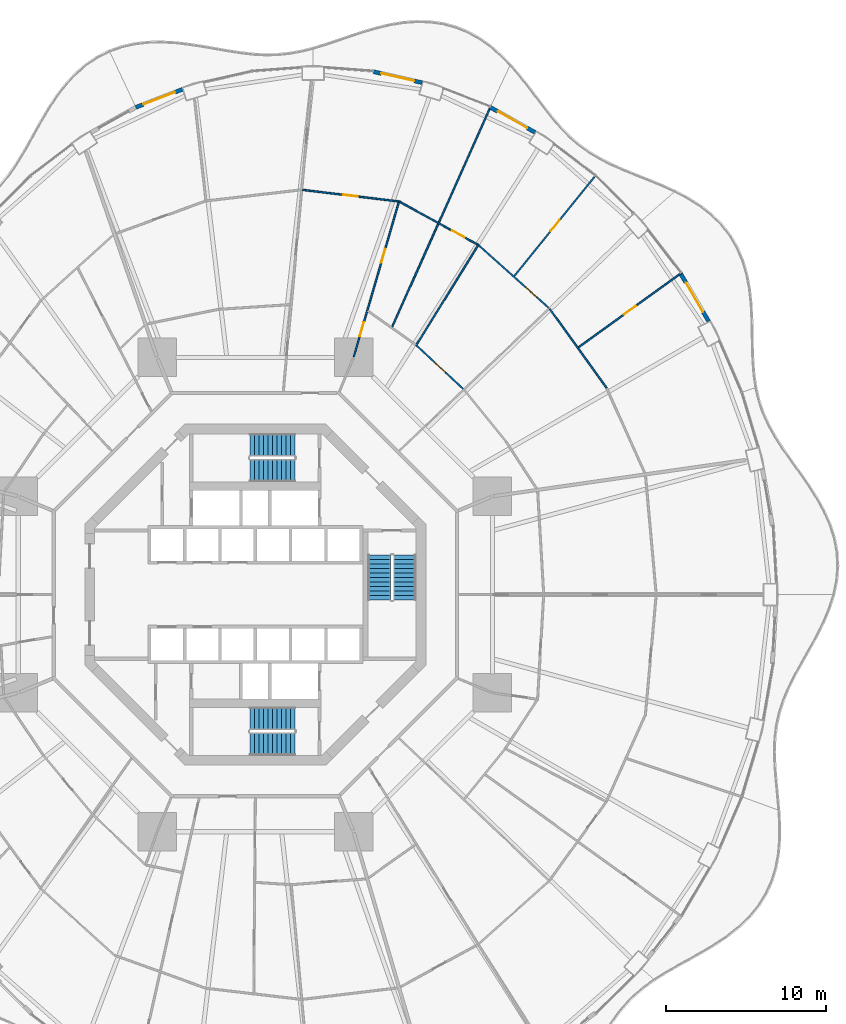
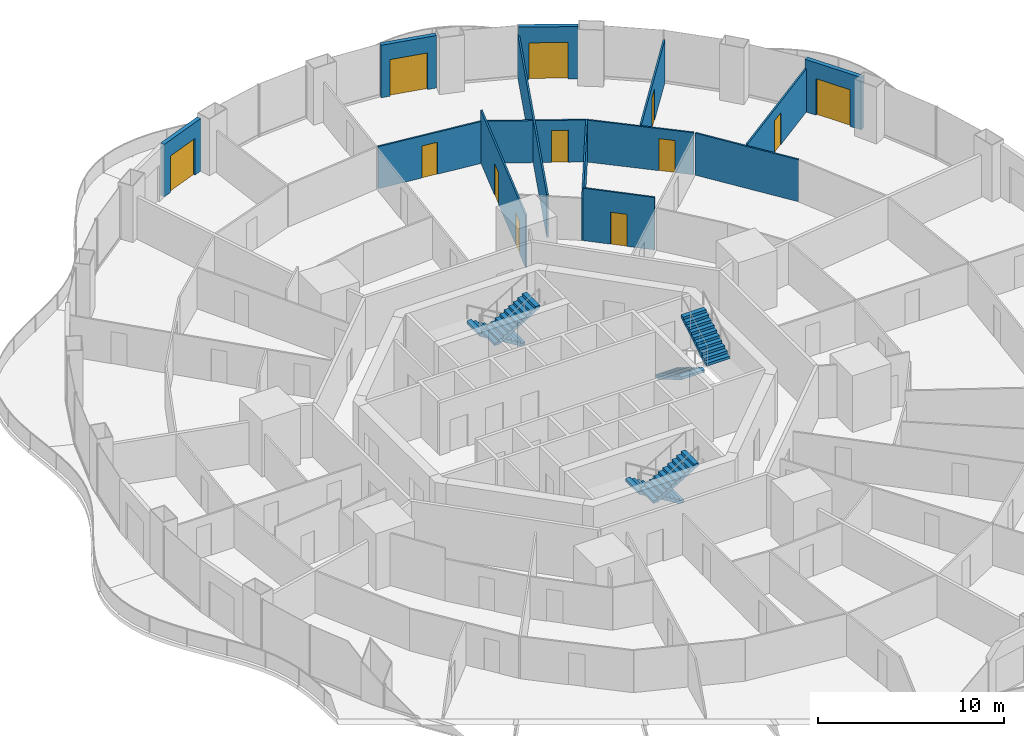
# One storey, part 19 of 22: 14 walls, 12 doors, 6 stair flights, 12 openings, 3 elements without a shape of their own.
"""IFC4 building model written with IfcOpenShell, lengths in metres."""

from ifc_helpers import new_model, si_unit, direction, frame, frame_2d, origin, place, context, subcontext, project, spatial, polyline, rectangle, outline, extrude, material, layer, layer_set, type_object, element, fill, aggregate, save


model = new_model("IFC4")

# Units and contexts
model_context = context("Model", 3, precision=1e-05, world=origin(), true_north=direction((0.0, 1.0)))
body_context = subcontext(model_context, "Body", "Model", "MODEL_VIEW")
ifc_project = project(units=[si_unit("LENGTHUNIT", "METRE"), si_unit("AREAUNIT", "SQUARE_METRE"), si_unit("VOLUMEUNIT", "CUBIC_METRE"), si_unit("PLANEANGLEUNIT", "RADIAN"), si_unit("MASSUNIT", "GRAM", prefix="KILO")], contexts=[model_context])

# Site, building, storey
site_placement = place(None, origin())
site = spatial("IfcSite", under=ifc_project, at=site_placement, CompositionType="ELEMENT")
building_placement = place(site_placement, origin())
building = spatial("IfcBuilding", under=site, at=building_placement, Name="Nagisa Residences", CompositionType="ELEMENT")
storey_placement = place(building_placement, frame((0.0, 0.0, 52.89990234375)))
storey = spatial("IfcBuildingStorey", under=building, at=storey_placement, Name="L12", CompositionType="ELEMENT", Elevation=52.89990234375)

# Wall
ifc_material_1 = material(Name="Gypsum board on steel studs", Category="steel")
ifc_layer_1 = layer(ifc_material_1, 0.10009765625)
ifc_layer_set_1 = layer_set([ifc_layer_1], Name="Apartment partition 100")
wall_type_1 = type_object("IfcWallType", Name="Apartment partition 100", PredefinedType="PARTITIONING", material=ifc_layer_set_1)
wall_1_placement = place(storey_placement, frame((21.90771484375, 12.866455078125, 0.0), z_axis=(0.0, 0.0, 1.0), x_axis=(-0.584558392935, 0.811351640936, 0.0)))
element("IfcWall", 1, at=wall_1_placement, inside=storey, type_object=wall_type_1, Name="wall:L12:u26", PredefinedType="PARTITIONING", context=body_context, shape_type="SweptSolid", body=[
    extrude(rectangle(XDim=6.084228515625, YDim=0.10009765625, at=frame_2d((3.0419921875, 0.0))), origin(), (0.0, 0.0, 1.0), 2.756103515625),
])

# Wall, opening, door
wall_2_placement = place(storey_placement, frame((20.140625, 15.404541015625, 0.0), z_axis=(0.0, 0.0, 1.0), x_axis=(0.809834895779, 0.58665785734, 0.0)))
wall_2 = element("IfcWall", 2, at=wall_2_placement, inside=storey, type_object=wall_type_1, Name="wall:L12:u27", PredefinedType="PARTITIONING", context=body_context, shape_type="SweptSolid", body=[
    extrude(rectangle(XDim=7.9453125, YDim=0.10009765625, at=frame_2d((3.97265625, 0.0))), origin(), (0.0, 0.0, 1.0), 2.837158203125),
])
opening_1_placement = place(wall_2_placement, frame((3.5224609375, 0.0, 0.0)))
opening_1 = element("IfcOpeningElement", 3, at=opening_1_placement, cuts=wall_2, Name="Opening L12-U57", PredefinedType="OPENING", context=body_context, shape_type="SweptSolid", body=[
    extrude(rectangle(XDim=0.89990234375, YDim=2.10009765625, at=frame_2d((0.449951171875, 1.050048828125))), frame((0.0, 0.06005859375, 0.0), z_axis=(0.0, -1.0, 0.0), x_axis=(1.0, 0.0, 0.0)), (0.0, 0.0, 1.0), 0.1201171875),
])
ifc_material_2 = material(Name="Timber door set", Category="wood")
door_type_1 = type_object("IfcDoorType", Name="Apartment door 900x2100", OperationType="NOTDEFINED", PredefinedType="DOOR", material=ifc_material_2)
door_1_placement = place(opening_1_placement, frame((0.89990234375, 0.0, 0.0), x_axis=(-1.0, 0.0, 0.0)))
door_1 = element("IfcDoor", 4, at=door_1_placement, inside=storey, type_object=door_type_1, Name="Door to family room, Apartment 12E", OperationType="SINGLE_SWING_RIGHT", OverallHeight=2.10009765625, OverallWidth=0.89990234375, PredefinedType="DOOR", context=body_context, shape_type="SweptSolid", body=[
    extrude(rectangle(XDim=0.89990234375, YDim=2.10009765625, at=frame_2d((0.449951171875, 1.050048828125))), frame((0.0, 0.02490234375, 0.0), z_axis=(0.0, -1.0, 0.0), x_axis=(1.0, 0.0, 0.0)), (0.0, 0.0, 1.0), 0.050048828125),
])
fill(opening_1, door_1)

wall_3_placement = place(storey_placement, frame((12.957763671875, 12.820068359375, 0.0), z_axis=(0.0, 0.0, 1.0), x_axis=(-0.732022571638, 0.681280378855, 0.0)))
wall_3 = element("IfcWall", 5, at=wall_3_placement, inside=storey, type_object=wall_type_1, Name="wall:L12:u29", PredefinedType="PARTITIONING", context=body_context, shape_type="SweptSolid", body=[
    extrude(rectangle(XDim=3.9501953125, YDim=0.10009765625, at=frame_2d((1.97509765625, 0.0))), origin(), (0.0, 0.0, 1.0), 3.440185546875),
])
opening_2_placement = place(wall_3_placement, frame((1.525146484375, 0.0, 0.0)))
opening_2 = element("IfcOpeningElement", 6, at=opening_2_placement, cuts=wall_3, Name="Opening L12-U46", PredefinedType="OPENING", context=body_context, shape_type="SweptSolid", body=[
    extrude(rectangle(XDim=0.89990234375, YDim=2.10009765625, at=frame_2d((0.449951171875, 1.050048828125))), frame((0.0, 0.06005859375, 0.0), z_axis=(0.0, -1.0, 0.0), x_axis=(1.0, 0.0, 0.0)), (0.0, 0.0, 1.0), 0.1201171875),
])
door_2_placement = place(opening_2_placement, frame((0.89990234375, 0.0, 0.0), x_axis=(-1.0, 0.0, 0.0)))
door_2 = element("IfcDoor", 7, at=door_2_placement, inside=storey, type_object=door_type_1, Name="Door to kitchen, Apartment 12E", OperationType="SINGLE_SWING_LEFT", OverallHeight=2.10009765625, OverallWidth=0.89990234375, PredefinedType="DOOR", context=body_context, shape_type="SweptSolid", body=[
    extrude(rectangle(XDim=0.89990234375, YDim=2.10009765625, at=frame_2d((0.449951171875, 1.050048828125))), frame((0.0, 0.02490234375, 0.0), z_axis=(0.0, -1.0, 0.0), x_axis=(1.0, 0.0, 0.0)), (0.0, 0.0, 1.0), 0.050048828125),
])
fill(opening_2, door_2)

wall_4_placement = place(storey_placement, frame((18.28466796875, 17.876953125, 0.0), z_axis=(0.0, 0.0, 1.0), x_axis=(-0.745806142791, 0.666163041136, 0.0)))
wall_4 = element("IfcWall", 8, at=wall_4_placement, inside=storey, type_object=wall_type_1, Name="wall:L12:u30", PredefinedType="PARTITIONING", context=body_context, shape_type="SweptSolid", body=[
    extrude(rectangle(XDim=5.83056640625, YDim=0.10009765625, at=frame_2d((2.915283203125, 0.0))), origin(), (0.0, 0.0, 1.0), 2.756103515625),
])
opening_3_placement = place(wall_4_placement, frame((1.007568359375, 0.0, 0.0)))
opening_3 = element("IfcOpeningElement", 9, at=opening_3_placement, cuts=wall_4, Name="Opening L12-U49", PredefinedType="OPENING", context=body_context, shape_type="SweptSolid", body=[
    extrude(rectangle(XDim=0.89990234375, YDim=2.10009765625, at=frame_2d((0.449951171875, 1.050048828125))), frame((0.0, 0.06005859375, 0.0), z_axis=(0.0, -1.0, 0.0), x_axis=(1.0, 0.0, 0.0)), (0.0, 0.0, 1.0), 0.1201171875),
])
door_3_placement = place(opening_3_placement, frame((0.89990234375, 0.0, 0.0), x_axis=(-1.0, 0.0, 0.0)))
door_3 = element("IfcDoor", 10, at=door_3_placement, inside=storey, type_object=door_type_1, Name="Door to dining room, Apartment 12E", OperationType="SINGLE_SWING_RIGHT", OverallHeight=2.10009765625, OverallWidth=0.89990234375, PredefinedType="DOOR", context=body_context, shape_type="SweptSolid", body=[
    extrude(rectangle(XDim=0.89990234375, YDim=2.10009765625, at=frame_2d((0.449951171875, 1.050048828125))), frame((0.0, 0.02490234375, 0.0), z_axis=(0.0, -1.0, 0.0), x_axis=(1.0, 0.0, 0.0)), (0.0, 0.0, 1.0), 0.050048828125),
])
fill(opening_3, door_3)

wall_5_placement = place(storey_placement, frame((16.141845703125, 19.85791015625, 0.0), z_axis=(0.0, 0.0, 1.0), x_axis=(0.628738066508, 0.777617157555, 0.0)))
wall_5 = element("IfcWall", 11, at=wall_5_placement, inside=storey, type_object=wall_type_1, Name="wall:L12:u31", PredefinedType="PARTITIONING", context=body_context, shape_type="SweptSolid", body=[
    extrude(rectangle(XDim=8.091064453125, YDim=0.10009765625, at=frame_2d((4.04541015625, 0.0))), origin(), (0.0, 0.0, 1.0), 2.837158203125),
])
opening_4_placement = place(wall_5_placement, frame((3.595458984375, 0.0, 0.0)))
opening_4 = element("IfcOpeningElement", 12, at=opening_4_placement, cuts=wall_5, Name="Opening L12-U50", PredefinedType="OPENING", context=body_context, shape_type="SweptSolid", body=[
    extrude(rectangle(XDim=0.89990234375, YDim=2.10009765625, at=frame_2d((0.449951171875, 1.050048828125))), frame((0.0, 0.06005859375, 0.0), z_axis=(0.0, -1.0, 0.0), x_axis=(1.0, 0.0, 0.0)), (0.0, 0.0, 1.0), 0.1201171875),
])
door_4_placement = place(opening_4_placement, origin())
door_4 = element("IfcDoor", 13, at=door_4_placement, inside=storey, type_object=door_type_1, Name="Door to master bedroom, Apartment 12E", OperationType="SINGLE_SWING_RIGHT", OverallHeight=2.10009765625, OverallWidth=0.89990234375, PredefinedType="DOOR", context=body_context, shape_type="SweptSolid", body=[
    extrude(rectangle(XDim=0.89990234375, YDim=2.10009765625, at=frame_2d((0.449951171875, 1.050048828125))), frame((0.0, 0.02490234375, 0.0), z_axis=(0.0, -1.0, 0.0), x_axis=(1.0, 0.0, 0.0)), (0.0, 0.0, 1.0), 0.050048828125),
])
fill(opening_4, door_4)

# Wall
wall_6_placement = place(storey_placement, frame((10.003173828125, 15.502685546875, 0.0), z_axis=(0.0, 0.0, 1.0), x_axis=(0.52645953022, 0.850200189979, 0.0)))
element("IfcWall", 14, at=wall_6_placement, inside=storey, type_object=wall_type_1, Name="wall:L12:u32", PredefinedType="PARTITIONING", context=body_context, shape_type="SweptSolid", body=[
    extrude(rectangle(XDim=7.449951171875, YDim=0.10009765625, at=frame_2d((3.72509765625, 0.0))), origin(), (0.0, 0.0, 1.0), 2.756103515625),
])

# Wall, opening, door
wall_7_placement = place(storey_placement, frame((13.85498046875, 21.818359375, 0.0), z_axis=(0.0, 0.0, 1.0), x_axis=(-0.876794415294, 0.480865421203, 0.0)))
wall_7 = element("IfcWall", 15, at=wall_7_placement, inside=storey, type_object=wall_type_1, Name="wall:L12:u34", PredefinedType="PARTITIONING", context=body_context, shape_type="SweptSolid", body=[
    extrude(rectangle(XDim=5.5361328125, YDim=0.10009765625, at=frame_2d((2.76806640625, 0.0))), origin(), (0.0, 0.0, 1.0), 2.756103515625),
])
opening_5_placement = place(wall_7_placement, frame((0.93408203125, 0.0, 0.0)))
opening_5 = element("IfcOpeningElement", 16, at=opening_5_placement, cuts=wall_7, Name="Opening L12-U56", PredefinedType="OPENING", context=body_context, shape_type="SweptSolid", body=[
    extrude(rectangle(XDim=0.89990234375, YDim=2.10009765625, at=frame_2d((0.449951171875, 1.050048828125))), frame((0.0, 0.06005859375, 0.0), z_axis=(0.0, -1.0, 0.0), x_axis=(1.0, 0.0, 0.0)), (0.0, 0.0, 1.0), 0.1201171875),
])
door_5_placement = place(opening_5_placement, origin())
door_5 = element("IfcDoor", 17, at=door_5_placement, inside=storey, type_object=door_type_1, Name="Door to en-suite bathroom, Apartment 12E", OperationType="SINGLE_SWING_RIGHT", OverallHeight=2.10009765625, OverallWidth=0.89990234375, PredefinedType="DOOR", context=body_context, shape_type="SweptSolid", body=[
    extrude(rectangle(XDim=0.89990234375, YDim=2.10009765625, at=frame_2d((0.449951171875, 1.050048828125))), frame((0.0, 0.02490234375, 0.0), z_axis=(0.0, -1.0, 0.0), x_axis=(1.0, 0.0, 0.0)), (0.0, 0.0, 1.0), 0.050048828125),
])
fill(opening_5, door_5)

# Wall
wall_8_placement = place(storey_placement, frame((8.524169921875, 16.676025390625, 0.0), z_axis=(0.0, 0.0, 1.0), x_axis=(0.408065177262, 0.912952797852, 0.0)))
element("IfcWall", 18, at=wall_8_placement, inside=storey, type_object=wall_type_1, Name="wall:L12:u35", PredefinedType="PARTITIONING", context=body_context, shape_type="SweptSolid", body=[
    extrude(rectangle(XDim=15.0888671875, YDim=0.10009765625, at=frame_2d((7.54443359375, 0.0))), origin(), (0.0, 0.0, 1.0), 2.837158203125),
])

# Wall, openings, doors
wall_9_placement = place(storey_placement, frame((6.136962890625, 14.830078125, 0.0), z_axis=(0.0, 0.0, 1.0), x_axis=(0.279843546189, 0.960045618529, 0.0)))
wall_9 = element("IfcWall", 19, at=wall_9_placement, inside=storey, type_object=wall_type_1, Name="wall:L12:u37", PredefinedType="PARTITIONING", context=body_context, shape_type="SweptSolid", body=[
    extrude(rectangle(XDim=10.126953125, YDim=0.10009765625, at=frame_2d((5.0634765625, 0.0))), origin(), (0.0, 0.0, 1.0), 3.440185546875),
])
opening_6_placement = place(wall_9_placement, frame((1.333740234375, 0.0, 0.0)))
opening_6 = element("IfcOpeningElement", 20, at=opening_6_placement, cuts=wall_9, Name="Opening L12-U44", PredefinedType="OPENING", context=body_context, shape_type="SweptSolid", body=[
    extrude(rectangle(XDim=0.89990234375, YDim=2.10009765625, at=frame_2d((0.449951171875, 1.050048828125))), frame((0.0, 0.06005859375, 0.0), z_axis=(0.0, -1.0, 0.0), x_axis=(1.0, 0.0, 0.0)), (0.0, 0.0, 1.0), 0.1201171875),
])
opening_7_placement = place(wall_9_placement, frame((6.09130859375, 0.0, 0.0)))
opening_7 = element("IfcOpeningElement", 21, at=opening_7_placement, cuts=wall_9, Name="Opening L12-U47", PredefinedType="OPENING", context=body_context, shape_type="SweptSolid", body=[
    extrude(rectangle(XDim=0.89990234375, YDim=2.10009765625, at=frame_2d((0.449951171875, 1.050048828125))), frame((0.0, 0.06005859375, 0.0), z_axis=(0.0, -1.0, 0.0), x_axis=(1.0, 0.0, 0.0)), (0.0, 0.0, 1.0), 0.1201171875),
])
door_6_placement = place(opening_6_placement, frame((0.89990234375, 0.0, 0.0), x_axis=(-1.0, 0.0, 0.0)))
door_6 = element("IfcDoor", 22, at=door_6_placement, inside=storey, type_object=door_type_1, Name="Door to store, Apartment 12E", OperationType="SINGLE_SWING_LEFT", OverallHeight=2.10009765625, OverallWidth=0.89990234375, PredefinedType="DOOR", context=body_context, shape_type="SweptSolid", body=[
    extrude(rectangle(XDim=0.89990234375, YDim=2.10009765625, at=frame_2d((0.449951171875, 1.050048828125))), frame((0.0, 0.02490234375, 0.0), z_axis=(0.0, -1.0, 0.0), x_axis=(1.0, 0.0, 0.0)), (0.0, 0.0, 1.0), 0.050048828125),
])
fill(opening_6, door_6)
door_7_placement = place(opening_7_placement, frame((0.89990234375, 0.0, 0.0), x_axis=(-1.0, 0.0, 0.0)))
door_7 = element("IfcDoor", 23, at=door_7_placement, inside=storey, type_object=door_type_1, Name="Door to family bathroom, Apartment 12E", OperationType="SINGLE_SWING_RIGHT", OverallHeight=2.10009765625, OverallWidth=0.89990234375, PredefinedType="DOOR", context=body_context, shape_type="SweptSolid", body=[
    extrude(rectangle(XDim=0.89990234375, YDim=2.10009765625, at=frame_2d((0.449951171875, 1.050048828125))), frame((0.0, 0.02490234375, 0.0), z_axis=(0.0, -1.0, 0.0), x_axis=(1.0, 0.0, 0.0)), (0.0, 0.0, 1.0), 0.050048828125),
])
fill(opening_7, door_7)

# Wall, opening, door
wall_10_placement = place(storey_placement, frame((8.907470703125, 24.510498046875, 0.0), z_axis=(0.0, 0.0, 1.0), x_axis=(-0.992836798252, 0.119478416615, 0.0)))
wall_10 = element("IfcWall", 24, at=wall_10_placement, inside=storey, type_object=wall_type_1, Name="wall:L12:u38", PredefinedType="PARTITIONING", context=body_context, shape_type="SweptSolid", body=[
    extrude(rectangle(XDim=6.009521484375, YDim=0.10009765625, at=frame_2d((3.0048828125, 0.0))), origin(), (0.0, 0.0, 1.0), 2.756103515625),
])
opening_8_placement = place(wall_10_placement, frame((2.5546875, 0.0, 0.0)))
opening_8 = element("IfcOpeningElement", 25, at=opening_8_placement, cuts=wall_10, Name="Opening L12-U51", PredefinedType="OPENING", context=body_context, shape_type="SweptSolid", body=[
    extrude(rectangle(XDim=0.89990234375, YDim=2.10009765625, at=frame_2d((0.449951171875, 1.050048828125))), frame((0.0, 0.06005859375, 0.0), z_axis=(0.0, -1.0, 0.0), x_axis=(1.0, 0.0, 0.0)), (0.0, 0.0, 1.0), 0.1201171875),
])
door_8_placement = place(opening_8_placement, frame((0.89990234375, 0.0, 0.0), x_axis=(-1.0, 0.0, 0.0)))
door_8 = element("IfcDoor", 26, at=door_8_placement, inside=storey, type_object=door_type_1, Name="Door to living room, Apartment 12E", OperationType="SINGLE_SWING_RIGHT", OverallHeight=2.10009765625, OverallWidth=0.89990234375, PredefinedType="DOOR", context=body_context, shape_type="SweptSolid", body=[
    extrude(rectangle(XDim=0.89990234375, YDim=2.10009765625, at=frame_2d((0.449951171875, 1.050048828125))), frame((0.0, 0.02490234375, 0.0), z_axis=(0.0, -1.0, 0.0), x_axis=(1.0, 0.0, 0.0)), (0.0, 0.0, 1.0), 0.050048828125),
])
fill(opening_8, door_8)

ifc_material_3 = material(Name="Precast concrete C40/50", Category="concrete")
ifc_layer_2 = layer(ifc_material_3, 0.25)
ifc_layer_set_2 = layer_set([ifc_layer_2], Name="BALCONY DOOR WALL 250")
wall_type_2 = type_object("IfcWallType", Name="BALCONY DOOR WALL 250", PredefinedType="SOLIDWALL", material=ifc_layer_set_2)
wall_11_placement = place(storey_placement, frame((26.49951171875, 20.02587890625, 0.0), z_axis=(0.0, 0.0, 1.0), x_axis=(0.506311160839, -0.862350861546, 0.0)))
wall_11 = element("IfcWall", 27, at=wall_11_placement, inside=storey, type_object=wall_type_2, Name="wall:L12:bay04", PredefinedType="SOLIDWALL", context=body_context, shape_type="SweptSolid", body=[
    extrude(rectangle(XDim=3.462158203125, YDim=0.25, at=frame_2d((1.73095703125, 0.0))), origin(), (0.0, 0.0, 1.0), 3.440185546875),
])
opening_9_placement = place(wall_11_placement, frame((0.68115234375, 0.0, 0.0)))
opening_9 = element("IfcOpeningElement", 28, at=opening_9_placement, cuts=wall_11, Name="Opening BD-L12-02", PredefinedType="OPENING", context=body_context, shape_type="SweptSolid", body=[
    extrude(rectangle(XDim=2.10009765625, YDim=2.39990234375, at=frame_2d((1.050048828125, 1.199951171875))), frame((0.0, 0.135009765625, 0.0), z_axis=(0.0, -1.0, 0.0), x_axis=(1.0, 0.0, 0.0)), (0.0, 0.0, 1.0), 0.27001953125),
])
ifc_material_4 = material(Name="Aluminium and clear glass", Category="aluminium")
door_type_2 = type_object("IfcDoorType", Name="BALCONY SLIDING DOOR 2100x2400", OperationType="SLIDING_TO_LEFT", PredefinedType="DOOR", material=ifc_material_4)
door_9_placement = place(opening_9_placement, origin())
door_9 = element("IfcDoor", 29, at=door_9_placement, inside=storey, type_object=door_type_2, Name="door:L12:bay04", OperationType="SLIDING_TO_LEFT", OverallHeight=2.39990234375, OverallWidth=2.10009765625, PredefinedType="DOOR", context=body_context, shape_type="SweptSolid", body=[
    extrude(rectangle(XDim=2.10009765625, YDim=2.39990234375, at=frame_2d((1.050048828125, 1.199951171875))), frame((0.0, 0.02490234375, 0.0), z_axis=(0.0, -1.0, 0.0), x_axis=(1.0, 0.0, 0.0)), (0.0, 0.0, 1.0), 0.050048828125),
])
fill(opening_9, door_9)

wall_12_placement = place(storey_placement, frame((14.63671875, 30.37890625, 0.0), z_axis=(0.0, 0.0, 1.0), x_axis=(0.872102558443, -0.489323132048, 0.0)))
wall_12 = element("IfcWall", 30, at=wall_12_placement, inside=storey, type_object=wall_type_2, Name="wall:L12:bay08", PredefinedType="SOLIDWALL", context=body_context, shape_type="SweptSolid", body=[
    extrude(rectangle(XDim=3.201171875, YDim=0.25, at=frame_2d((1.6005859375, 0.0))), origin(), (0.0, 0.0, 1.0), 3.440185546875),
])
opening_10_placement = place(wall_12_placement, frame((0.550537109375, 0.0, 0.0)))
opening_10 = element("IfcOpeningElement", 31, at=opening_10_placement, cuts=wall_12, Name="Opening BD-L12-03", PredefinedType="OPENING", context=body_context, shape_type="SweptSolid", body=[
    extrude(rectangle(XDim=2.10009765625, YDim=2.39990234375, at=frame_2d((1.050048828125, 1.199951171875))), frame((0.0, 0.135009765625, 0.0), z_axis=(0.0, -1.0, 0.0), x_axis=(1.0, 0.0, 0.0)), (0.0, 0.0, 1.0), 0.27001953125),
])
door_10_placement = place(opening_10_placement, origin())
door_10 = element("IfcDoor", 32, at=door_10_placement, inside=storey, type_object=door_type_2, Name="door:L12:bay08", OperationType="SLIDING_TO_LEFT", OverallHeight=2.39990234375, OverallWidth=2.10009765625, PredefinedType="DOOR", context=body_context, shape_type="SweptSolid", body=[
    extrude(rectangle(XDim=2.10009765625, YDim=2.39990234375, at=frame_2d((1.050048828125, 1.199951171875))), frame((0.0, 0.02490234375, 0.0), z_axis=(0.0, -1.0, 0.0), x_axis=(1.0, 0.0, 0.0)), (0.0, 0.0, 1.0), 0.050048828125),
])
fill(opening_10, door_10)

wall_13_placement = place(storey_placement, frame((7.357666015625, 32.595703125, 0.0), z_axis=(0.0, 0.0, 1.0), x_axis=(0.97533495413, -0.220729987208, 0.0)))
wall_13 = element("IfcWall", 33, at=wall_13_placement, inside=storey, type_object=wall_type_2, Name="wall:L12:bay10", PredefinedType="SOLIDWALL", context=body_context, shape_type="SweptSolid", body=[
    extrude(rectangle(XDim=3.11474609375, YDim=0.25, at=frame_2d((1.557373046875, 0.0))), origin(), (0.0, 0.0, 1.0), 3.440185546875),
])
opening_11_placement = place(wall_13_placement, frame((0.50732421875, 0.0, 0.0)))
opening_11 = element("IfcOpeningElement", 34, at=opening_11_placement, cuts=wall_13, Name="Opening BD-L12-04", PredefinedType="OPENING", context=body_context, shape_type="SweptSolid", body=[
    extrude(rectangle(XDim=2.10009765625, YDim=2.39990234375, at=frame_2d((1.050048828125, 1.199951171875))), frame((0.0, 0.135009765625, 0.0), z_axis=(0.0, -1.0, 0.0), x_axis=(1.0, 0.0, 0.0)), (0.0, 0.0, 1.0), 0.27001953125),
])
door_11_placement = place(opening_11_placement, origin())
door_11 = element("IfcDoor", 35, at=door_11_placement, inside=storey, type_object=door_type_2, Name="door:L12:bay10", OperationType="SLIDING_TO_LEFT", OverallHeight=2.39990234375, OverallWidth=2.10009765625, PredefinedType="DOOR", context=body_context, shape_type="SweptSolid", body=[
    extrude(rectangle(XDim=2.10009765625, YDim=2.39990234375, at=frame_2d((1.050048828125, 1.199951171875))), frame((0.0, 0.02490234375, 0.0), z_axis=(0.0, -1.0, 0.0), x_axis=(1.0, 0.0, 0.0)), (0.0, 0.0, 1.0), 0.050048828125),
])
fill(opening_11, door_11)

wall_14_placement = place(storey_placement, frame((-7.452880859375, 30.371337890625, 0.0), z_axis=(0.0, 0.0, 1.0), x_axis=(0.932809381943, 0.360370166577, 0.0)))
wall_14 = element("IfcWall", 36, at=wall_14_placement, inside=storey, type_object=wall_type_2, Name="wall:L12:bay14", PredefinedType="SOLIDWALL", context=body_context, shape_type="SweptSolid", body=[
    extrude(rectangle(XDim=3.15087890625, YDim=0.25, at=frame_2d((1.575439453125, 0.0))), origin(), (0.0, 0.0, 1.0), 3.440185546875),
])
opening_12_placement = place(wall_14_placement, frame((0.525390625, 0.0, 0.0)))
opening_12 = element("IfcOpeningElement", 37, at=opening_12_placement, cuts=wall_14, Name="Opening BD-L12-05", PredefinedType="OPENING", context=body_context, shape_type="SweptSolid", body=[
    extrude(rectangle(XDim=2.10009765625, YDim=2.39990234375, at=frame_2d((1.050048828125, 1.199951171875))), frame((0.0, 0.135009765625, 0.0), z_axis=(0.0, -1.0, 0.0), x_axis=(1.0, 0.0, 0.0)), (0.0, 0.0, 1.0), 0.27001953125),
])
door_12_placement = place(opening_12_placement, origin())
door_12 = element("IfcDoor", 38, at=door_12_placement, inside=storey, type_object=door_type_2, Name="door:L12:bay14", OperationType="SLIDING_TO_LEFT", OverallHeight=2.39990234375, OverallWidth=2.10009765625, PredefinedType="DOOR", context=body_context, shape_type="SweptSolid", body=[
    extrude(rectangle(XDim=2.10009765625, YDim=2.39990234375, at=frame_2d((1.050048828125, 1.199951171875))), frame((0.0, 0.02490234375, 0.0), z_axis=(0.0, -1.0, 0.0), x_axis=(1.0, 0.0, 0.0)), (0.0, 0.0, 1.0), 0.050048828125),
])
fill(opening_12, door_12)

# Stair, stair flights
ifc_material_5 = material(Name="Concrete C60", Category="concrete")
stair_type = type_object("IfcStairType", Name="Exit stair", PredefinedType="HALF_TURN_STAIR", material=ifc_material_5)
stair_1_placement = place(storey_placement, origin())
stair_1 = element("IfcStair", 39, at=stair_1_placement, inside=storey, type_object=stair_type, Name="L12 Exit stair E", PredefinedType="HALF_TURN_STAIR")
ifc_material_6 = material(Name="Concrete C60", Category="concrete")
stair_flight_type = type_object("IfcStairFlightType", Name="Exit stair flight", PredefinedType="STRAIGHT", material=ifc_material_6)
stair_flight_1_placement = place(storey_placement, frame((7.737060546875, 2.47509765625, 0.0), z_axis=(0.0, 0.0, 1.0), x_axis=(0.0, -1.0, 0.0)))
stair_flight_1 = element("IfcStairFlight", 40, at=stair_flight_1_placement, type_object=stair_flight_type, Name="ST-E flight 1", NumberOfRisers=11, NumberOfTreads=10, PredefinedType="STRAIGHT", RiserHeight=0.168181818, TreadLength=0.28, context=body_context, shape_type="SweptSolid", body=[
    extrude(outline(polyline([(0.0, 0.0), (0.0, 0.168212890625), (0.280029296875, 0.168212890625), (0.280029296875, 0.33642578125), (0.56005859375, 0.33642578125), (0.56005859375, 0.504638671875), (0.840087890625, 0.504638671875), (0.840087890625, 0.672607421875), (1.1201171875, 0.672607421875), (1.1201171875, 0.8408203125), (1.39990234375, 0.8408203125), (1.39990234375, 1.009033203125), (1.679931640625, 1.009033203125), (1.679931640625, 1.17724609375), (1.9599609375, 1.17724609375), (1.9599609375, 1.345458984375), (2.239990234375, 1.345458984375), (2.239990234375, 1.513671875), (2.52001953125, 1.513671875), (2.52001953125, 1.681884765625), (2.800048828125, 1.681884765625), (2.800048828125, 1.85009765625), (2.800048828125, 1.5068359375), (0.291015625, 0.0), (0.0, 0.0)])), frame((0.0, 0.71240234375, 0.0), z_axis=(0.0, -1.0, 0.0), x_axis=(1.0, 0.0, 0.0)), (0.0, 0.0, 1.0), 1.425048828125),
])
stair_flight_2_placement = place(storey_placement, frame((9.31201171875, -0.324951171875, 1.85009765625), z_axis=(0.0, 0.0, 1.0), x_axis=(0.0, 1.0, 0.0)))
stair_flight_2 = element("IfcStairFlight", 41, at=stair_flight_2_placement, type_object=stair_flight_type, Name="ST-E flight 2", NumberOfRisers=11, NumberOfTreads=10, PredefinedType="STRAIGHT", RiserHeight=0.168181818, TreadLength=0.28, context=body_context, shape_type="SweptSolid", body=[
    extrude(outline(polyline([(0.0, 0.0), (0.0, 0.168212890625), (0.280029296875, 0.168212890625), (0.280029296875, 0.33642578125), (0.56005859375, 0.33642578125), (0.56005859375, 0.504638671875), (0.840087890625, 0.504638671875), (0.840087890625, 0.672607421875), (1.1201171875, 0.672607421875), (1.1201171875, 0.8408203125), (1.39990234375, 0.8408203125), (1.39990234375, 1.009033203125), (1.679931640625, 1.009033203125), (1.679931640625, 1.17724609375), (1.9599609375, 1.17724609375), (1.9599609375, 1.345458984375), (2.239990234375, 1.345458984375), (2.239990234375, 1.513671875), (2.52001953125, 1.513671875), (2.52001953125, 1.681884765625), (2.800048828125, 1.681884765625), (2.800048828125, 1.85009765625), (2.800048828125, 1.5068359375), (0.291015625, 0.0), (0.0, 0.0)])), frame((0.0, 0.71240234375, 0.0), z_axis=(0.0, -1.0, 0.0), x_axis=(1.0, 0.0, 0.0)), (0.0, 0.0, 1.0), 1.425048828125),
])
aggregate(stair_1, [stair_flight_1, stair_flight_2])

stair_2_placement = place(storey_placement, origin())
stair_2 = element("IfcStair", 42, at=stair_2_placement, inside=storey, type_object=stair_type, Name="L12 Exit stair N", PredefinedType="HALF_TURN_STAIR")
stair_flight_3_placement = place(storey_placement, frame((2.47509765625, 9.31201171875, 0.0), z_axis=(0.0, 0.0, 1.0), x_axis=(-1.0, 0.0, 0.0)))
stair_flight_3 = element("IfcStairFlight", 43, at=stair_flight_3_placement, type_object=stair_flight_type, Name="ST-N flight 1", NumberOfRisers=11, NumberOfTreads=10, PredefinedType="STRAIGHT", RiserHeight=0.168181818, TreadLength=0.28, context=body_context, shape_type="SweptSolid", body=[
    extrude(outline(polyline([(0.0, 0.0), (0.0, 0.168212890625), (0.280029296875, 0.168212890625), (0.280029296875, 0.33642578125), (0.56005859375, 0.33642578125), (0.56005859375, 0.504638671875), (0.840087890625, 0.504638671875), (0.840087890625, 0.672607421875), (1.1201171875, 0.672607421875), (1.1201171875, 0.8408203125), (1.39990234375, 0.8408203125), (1.39990234375, 1.009033203125), (1.679931640625, 1.009033203125), (1.679931640625, 1.17724609375), (1.9599609375, 1.17724609375), (1.9599609375, 1.345458984375), (2.239990234375, 1.345458984375), (2.239990234375, 1.513671875), (2.52001953125, 1.513671875), (2.52001953125, 1.681884765625), (2.800048828125, 1.681884765625), (2.800048828125, 1.85009765625), (2.800048828125, 1.5068359375), (0.291015625, 0.0), (0.0, 0.0)])), frame((0.0, 0.71240234375, 0.0), z_axis=(0.0, -1.0, 0.0), x_axis=(1.0, 0.0, 0.0)), (0.0, 0.0, 1.0), 1.425048828125),
])
stair_flight_4_placement = place(storey_placement, frame((-0.324951171875, 7.737060546875, 1.85009765625), z_axis=(0.0, 0.0, 1.0), x_axis=(1.0, 0.0, 0.0)))
stair_flight_4 = element("IfcStairFlight", 44, at=stair_flight_4_placement, type_object=stair_flight_type, Name="ST-N flight 2", NumberOfRisers=11, NumberOfTreads=10, PredefinedType="STRAIGHT", RiserHeight=0.168181818, TreadLength=0.28, context=body_context, shape_type="SweptSolid", body=[
    extrude(outline(polyline([(0.0, 0.0), (0.0, 0.168212890625), (0.280029296875, 0.168212890625), (0.280029296875, 0.33642578125), (0.56005859375, 0.33642578125), (0.56005859375, 0.504638671875), (0.840087890625, 0.504638671875), (0.840087890625, 0.672607421875), (1.1201171875, 0.672607421875), (1.1201171875, 0.8408203125), (1.39990234375, 0.8408203125), (1.39990234375, 1.009033203125), (1.679931640625, 1.009033203125), (1.679931640625, 1.17724609375), (1.9599609375, 1.17724609375), (1.9599609375, 1.345458984375), (2.239990234375, 1.345458984375), (2.239990234375, 1.513671875), (2.52001953125, 1.513671875), (2.52001953125, 1.681884765625), (2.800048828125, 1.681884765625), (2.800048828125, 1.85009765625), (2.800048828125, 1.5068359375), (0.291015625, 0.0), (0.0, 0.0)])), frame((0.0, 0.71240234375, 0.0), z_axis=(0.0, -1.0, 0.0), x_axis=(1.0, 0.0, 0.0)), (0.0, 0.0, 1.0), 1.425048828125),
])
aggregate(stair_2, [stair_flight_3, stair_flight_4])

stair_3_placement = place(storey_placement, origin())
stair_3 = element("IfcStair", 45, at=stair_3_placement, inside=storey, type_object=stair_type, Name="L12 Exit stair S", PredefinedType="HALF_TURN_STAIR")
stair_flight_5_placement = place(storey_placement, frame((2.47509765625, -7.737060546875, 0.0), z_axis=(0.0, 0.0, 1.0), x_axis=(-1.0, 0.0, 0.0)))
stair_flight_5 = element("IfcStairFlight", 46, at=stair_flight_5_placement, type_object=stair_flight_type, Name="ST-S flight 1", NumberOfRisers=11, NumberOfTreads=10, PredefinedType="STRAIGHT", RiserHeight=0.168181818, TreadLength=0.28, context=body_context, shape_type="SweptSolid", body=[
    extrude(outline(polyline([(0.0, 0.0), (0.0, 0.168212890625), (0.280029296875, 0.168212890625), (0.280029296875, 0.33642578125), (0.56005859375, 0.33642578125), (0.56005859375, 0.504638671875), (0.840087890625, 0.504638671875), (0.840087890625, 0.672607421875), (1.1201171875, 0.672607421875), (1.1201171875, 0.8408203125), (1.39990234375, 0.8408203125), (1.39990234375, 1.009033203125), (1.679931640625, 1.009033203125), (1.679931640625, 1.17724609375), (1.9599609375, 1.17724609375), (1.9599609375, 1.345458984375), (2.239990234375, 1.345458984375), (2.239990234375, 1.513671875), (2.52001953125, 1.513671875), (2.52001953125, 1.681884765625), (2.800048828125, 1.681884765625), (2.800048828125, 1.85009765625), (2.800048828125, 1.5068359375), (0.291015625, 0.0), (0.0, 0.0)])), frame((0.0, 0.71240234375, 0.0), z_axis=(0.0, -1.0, 0.0), x_axis=(1.0, 0.0, 0.0)), (0.0, 0.0, 1.0), 1.425048828125),
])
stair_flight_6_placement = place(storey_placement, frame((-0.324951171875, -9.31201171875, 1.85009765625), z_axis=(0.0, 0.0, 1.0), x_axis=(1.0, 0.0, 0.0)))
stair_flight_6 = element("IfcStairFlight", 47, at=stair_flight_6_placement, type_object=stair_flight_type, Name="ST-S flight 2", NumberOfRisers=11, NumberOfTreads=10, PredefinedType="STRAIGHT", RiserHeight=0.168181818, TreadLength=0.28, context=body_context, shape_type="SweptSolid", body=[
    extrude(outline(polyline([(0.0, 0.0), (0.0, 0.168212890625), (0.280029296875, 0.168212890625), (0.280029296875, 0.33642578125), (0.56005859375, 0.33642578125), (0.56005859375, 0.504638671875), (0.840087890625, 0.504638671875), (0.840087890625, 0.672607421875), (1.1201171875, 0.672607421875), (1.1201171875, 0.8408203125), (1.39990234375, 0.8408203125), (1.39990234375, 1.009033203125), (1.679931640625, 1.009033203125), (1.679931640625, 1.17724609375), (1.9599609375, 1.17724609375), (1.9599609375, 1.345458984375), (2.239990234375, 1.345458984375), (2.239990234375, 1.513671875), (2.52001953125, 1.513671875), (2.52001953125, 1.681884765625), (2.800048828125, 1.681884765625), (2.800048828125, 1.85009765625), (2.800048828125, 1.5068359375), (0.291015625, 0.0), (0.0, 0.0)])), frame((0.0, 0.71240234375, 0.0), z_axis=(0.0, -1.0, 0.0), x_axis=(1.0, 0.0, 0.0)), (0.0, 0.0, 1.0), 1.425048828125),
])
aggregate(stair_3, [stair_flight_5, stair_flight_6])

save(model, "model.ifc")
